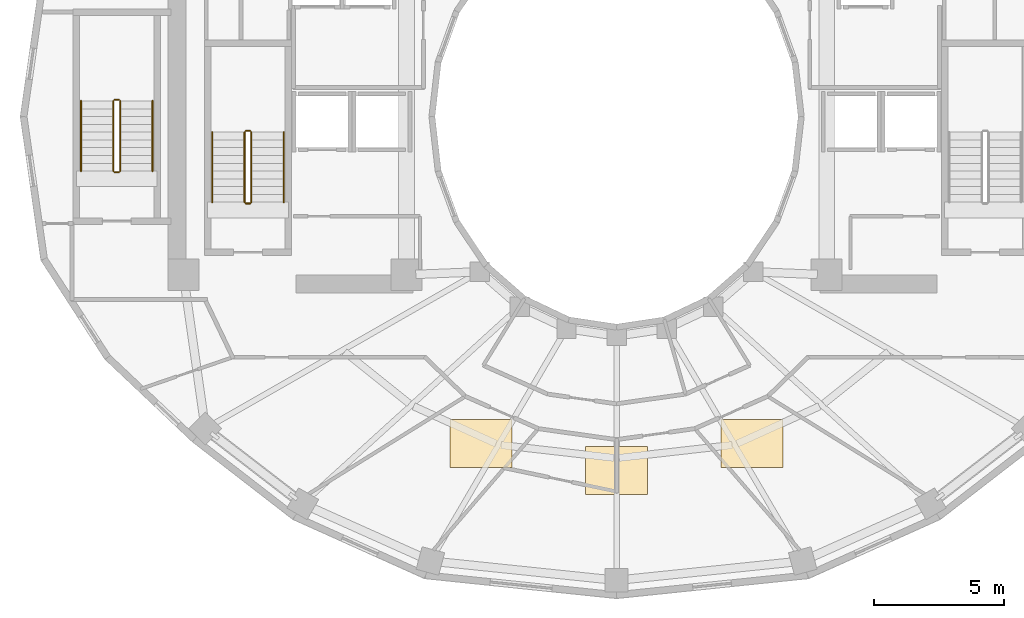
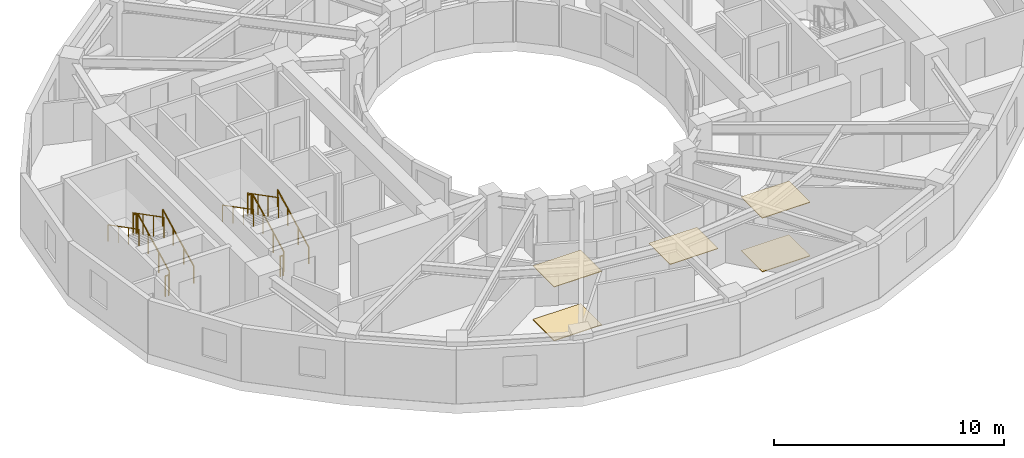
# One storey, part 8 of 9: 12 railings, 5 coverings.
"""IFC4 building model written with IfcOpenShell, lengths in metres."""

from ifc_helpers import new_model, si_unit, direction, frame, origin, origin_2d, place, context, subcontext, project, spatial, polyline, circle, outline, extrude, material, layer, layer_set, type_object, element, save


model = new_model("IFC4")

# Units and contexts
model_context = context("Model", 3, precision=1e-05, world=origin(), true_north=direction((0.0, 1.0)))
body_context = subcontext(model_context, "Body", "Model", "MODEL_VIEW")
ifc_project = project(units=[si_unit("LENGTHUNIT", "METRE"), si_unit("AREAUNIT", "SQUARE_METRE"), si_unit("VOLUMEUNIT", "CUBIC_METRE"), si_unit("PLANEANGLEUNIT", "RADIAN"), si_unit("MASSUNIT", "GRAM", prefix="KILO")], contexts=[model_context])

# Site, building, storey
site_placement = place(None, origin())
site = spatial("IfcSite", under=ifc_project, at=site_placement, CompositionType="ELEMENT")
building_placement = place(site_placement, origin())
building = spatial("IfcBuilding", under=site, at=building_placement, Name="Solvane Sanctuary Tower", CompositionType="ELEMENT")
storey_placement = place(building_placement, frame((0.0, 0.0, 143.60009765625)))
storey = spatial("IfcBuildingStorey", under=building, at=storey_placement, Name="L43", CompositionType="ELEMENT", Elevation=143.60009765625)

# Coverings
ifc_material_1 = material(Name="Acoustic Gypsum Partition Board")
ifc_layer_1 = layer(ifc_material_1, 0.02490234375, Name="Acoustic Gypsum Partition Board")
ifc_layer_set_1 = layer_set([ifc_layer_1], Name="Acoustic Gypsum Partition Board")
covering_type_1 = type_object("IfcCoveringType", Name="Covering CLG-ACOUST", PredefinedType="CEILING", material=ifc_layer_set_1)
covering_1_placement = place(storey_placement, frame((0.0, 0.0, 2.849853515625)))
element("IfcCovering", 1, at=covering_1_placement, inside=storey, type_object=covering_type_1, Name="L43 Unit Acoustic Ceiling Panel 5", PredefinedType="CEILING", context=body_context, shape_type="SweptSolid", body=[
    extrude(outline(polyline([(25.575927734375, 9.464111328125), (27.97607421875, 9.464111328125), (27.97607421875, 11.31396484375), (25.575927734375, 11.31396484375), (25.575927734375, 9.464111328125)])), origin(), (0.0, 0.0, 1.0), 0.030029296875),
])
covering_2_placement = place(storey_placement, frame((0.0, 0.0, 2.849853515625)))
element("IfcCovering", 2, at=covering_2_placement, inside=storey, type_object=covering_type_1, Name="L43 Unit Acoustic Ceiling Panel 6", PredefinedType="CEILING", context=body_context, shape_type="SweptSolid", body=[
    extrude(outline(polyline([(30.800048828125, 8.425048828125), (33.199951171875, 8.425048828125), (33.199951171875, 10.27490234375), (30.800048828125, 10.27490234375), (30.800048828125, 8.425048828125)])), origin(), (0.0, 0.0, 1.0), 0.030029296875),
])
covering_3_placement = place(storey_placement, frame((0.0, 0.0, 2.849853515625)))
element("IfcCovering", 3, at=covering_3_placement, inside=storey, type_object=covering_type_1, Name="L43 Unit Acoustic Ceiling Panel 7", PredefinedType="CEILING", context=body_context, shape_type="SweptSolid", body=[
    extrude(outline(polyline([(36.02392578125, 9.464111328125), (38.424072265625, 9.464111328125), (38.424072265625, 11.31396484375), (36.02392578125, 11.31396484375), (36.02392578125, 9.464111328125)])), origin(), (0.0, 0.0, 1.0), 0.030029296875),
])
ifc_material_2 = material(Name="Ceramic Tile Finish")
ifc_layer_2 = layer(ifc_material_2, 0.030029296875, Name="Ceramic Tile Finish")
ifc_layer_set_2 = layer_set([ifc_layer_2], Name="Ceramic Tile Finish")
covering_type_2 = type_object("IfcCoveringType", Name="Covering FLR-TERRAZZO", PredefinedType="FLOORING", material=ifc_layer_set_2)
covering_4_placement = place(storey_placement, origin())
element("IfcCovering", 4, at=covering_4_placement, inside=storey, type_object=covering_type_2, Name="L43 Unit Terrazzo Inlay 5", PredefinedType="FLOORING", context=body_context, shape_type="SweptSolid", body=[
    extrude(outline(polyline([(25.575927734375, 9.464111328125), (27.97607421875, 9.464111328125), (27.97607421875, 11.31396484375), (25.575927734375, 11.31396484375), (25.575927734375, 9.464111328125)])), origin(), (0.0, 0.0, 1.0), 0.034912109375),
])
covering_5_placement = place(storey_placement, origin())
element("IfcCovering", 5, at=covering_5_placement, inside=storey, type_object=covering_type_2, Name="L43 Unit Terrazzo Inlay 7", PredefinedType="FLOORING", context=body_context, shape_type="SweptSolid", body=[
    extrude(outline(polyline([(36.02392578125, 9.464111328125), (38.424072265625, 9.464111328125), (38.424072265625, 11.31396484375), (36.02392578125, 11.31396484375), (36.02392578125, 9.464111328125)])), origin(), (0.0, 0.0, 1.0), 0.034912109375),
])

# Railings
ifc_material_3 = material(Name="Architectural Stainless Steel 316", Category="steel")
railing_type_1 = type_object("IfcRailingType", Name="Railing GR-BALC-1150", PredefinedType="BALUSTRADE", material=ifc_material_3)
railing_1_placement = place(storey_placement, frame((17.919921875, 19.699951171875, 0.15478515625)))
element("IfcRailing", 6, at=railing_1_placement, inside=storey, type_object=railing_type_1, Name="L43 ST-1 stair guard 1", PredefinedType="BALUSTRADE", context=body_context, shape_type="SweptSolid", body=[
    extrude(circle(Radius=0.02392578125, at=origin_2d()), frame((0.0, 0.0, 1.076171875), z_axis=(0.0, 0.888419900624, 0.459031676658), x_axis=(-1.0, 0.0, 0.0)), (0.0, 0.0, 1.0), 3.0390625),
    extrude(circle(Radius=0.02099609375, at=origin_2d()), origin(), (0.0, 0.0, 1.0), 1.052001953125),
    extrude(circle(Radius=0.02099609375, at=origin_2d()), frame((0.0, 0.89990234375, 0.465087890625)), (0.0, 0.0, 1.0), 1.052001953125),
    extrude(circle(Radius=0.02099609375, at=origin_2d()), frame((0.0, 1.800048828125, 0.929931640625)), (0.0, 0.0, 1.0), 1.052001953125),
    extrude(circle(Radius=0.02099609375, at=origin_2d()), frame((0.0, 2.699951171875, 1.39501953125)), (0.0, 0.0, 1.0), 1.052001953125),
])
railing_2_placement = place(storey_placement, frame((17.8701171875, 22.449951171875, 1.5498046875)))
element("IfcRailing", 7, at=railing_2_placement, inside=storey, type_object=railing_type_1, Name="L43 ST-1 stair guard 2", PredefinedType="BALUSTRADE", context=body_context, shape_type="SweptSolid", body=[
    extrude(circle(Radius=0.02392578125, at=origin_2d()), frame((0.0, 0.0, 1.076171875), z_axis=(-1.0, 0.0, 0.0), x_axis=(0.0, -1.0, 0.0)), (0.0, 0.0, 1.0), 0.16015625),
    extrude(circle(Radius=0.02099609375, at=origin_2d()), origin(), (0.0, 0.0, 1.0), 1.052001953125),
    extrude(circle(Radius=0.02099609375, at=origin_2d()), frame((-0.16015625, 0.0, 0.0)), (0.0, 0.0, 1.0), 1.052001953125),
])
railing_3_placement = place(storey_placement, frame((17.659912109375, 22.39990234375, 1.704833984375)))
element("IfcRailing", 8, at=railing_3_placement, inside=storey, type_object=railing_type_1, Name="L43 ST-1 stair guard 3", PredefinedType="BALUSTRADE", context=body_context, shape_type="SweptSolid", body=[
    extrude(circle(Radius=0.02392578125, at=origin_2d()), frame((0.0, 0.0, 1.076171875), z_axis=(0.0, -0.888419900624, 0.459031676658), x_axis=(1.0, 0.0, 0.0)), (0.0, 0.0, 1.0), 3.0390625),
    extrude(circle(Radius=0.02099609375, at=origin_2d()), origin(), (0.0, 0.0, 1.0), 1.052001953125),
    extrude(circle(Radius=0.02099609375, at=origin_2d()), frame((0.0, -0.89990234375, 0.465087890625)), (0.0, 0.0, 1.0), 1.052001953125),
    extrude(circle(Radius=0.02099609375, at=origin_2d()), frame((0.0, -1.800048828125, 0.929931640625)), (0.0, 0.0, 1.0), 1.052001953125),
    extrude(circle(Radius=0.02099609375, at=origin_2d()), frame((0.0, -2.699951171875, 1.39501953125)), (0.0, 0.0, 1.0), 1.052001953125),
])
railing_4_placement = place(storey_placement, frame((17.8701171875, 19.64990234375, 0.0)))
element("IfcRailing", 9, at=railing_4_placement, inside=storey, type_object=railing_type_1, Name="L43 ST-1 stair guard 4", PredefinedType="BALUSTRADE", context=body_context, shape_type="SweptSolid", body=[
    extrude(circle(Radius=0.02392578125, at=origin_2d()), frame((0.0, 0.0, 1.076171875), z_axis=(-1.0, 0.0, 0.0), x_axis=(0.0, -1.0, 0.0)), (0.0, 0.0, 1.0), 0.16015625),
    extrude(circle(Radius=0.02099609375, at=origin_2d()), origin(), (0.0, 0.0, 1.0), 1.052001953125),
    extrude(circle(Radius=0.02099609375, at=origin_2d()), frame((-0.16015625, 0.0, 0.0)), (0.0, 0.0, 1.0), 1.052001953125),
])
railing_5_placement = place(storey_placement, frame((12.860107421875, 20.89990234375, 0.15478515625)))
element("IfcRailing", 10, at=railing_5_placement, inside=storey, type_object=railing_type_1, Name="L43 ST-3 stair guard 1", PredefinedType="BALUSTRADE", context=body_context, shape_type="SweptSolid", body=[
    extrude(circle(Radius=0.02392578125, at=origin_2d()), frame((0.0, 0.0, 1.076171875), z_axis=(0.0, 0.888436826113, 0.458998917216), x_axis=(-1.0, 0.0, 0.0)), (0.0, 0.0, 1.0), 3.039306640625),
    extrude(circle(Radius=0.02099609375, at=origin_2d()), origin(), (0.0, 0.0, 1.0), 1.052001953125),
    extrude(circle(Radius=0.02099609375, at=origin_2d()), frame((0.0, 0.900146484375, 0.465087890625)), (0.0, 0.0, 1.0), 1.052001953125),
    extrude(circle(Radius=0.02099609375, at=origin_2d()), frame((0.0, 1.800048828125, 0.929931640625)), (0.0, 0.0, 1.0), 1.052001953125),
    extrude(circle(Radius=0.02099609375, at=origin_2d()), frame((0.0, 2.7001953125, 1.39501953125)), (0.0, 0.0, 1.0), 1.052001953125),
])
railing_6_placement = place(storey_placement, frame((12.81005859375, 23.64990234375, 1.5498046875)))
element("IfcRailing", 11, at=railing_6_placement, inside=storey, type_object=railing_type_1, Name="L43 ST-3 stair guard 2", PredefinedType="BALUSTRADE", context=body_context, shape_type="SweptSolid", body=[
    extrude(circle(Radius=0.02392578125, at=origin_2d()), frame((0.0, 0.0, 1.076171875), z_axis=(-1.0, 0.0, 0.0), x_axis=(0.0, -1.0, 0.0)), (0.0, 0.0, 1.0), 0.16015625),
    extrude(circle(Radius=0.02099609375, at=origin_2d()), origin(), (0.0, 0.0, 1.0), 1.052001953125),
    extrude(circle(Radius=0.02099609375, at=origin_2d()), frame((-0.16015625, 0.0, 0.0)), (0.0, 0.0, 1.0), 1.052001953125),
])
railing_7_placement = place(storey_placement, frame((12.60009765625, 23.60009765625, 1.704833984375)))
element("IfcRailing", 12, at=railing_7_placement, inside=storey, type_object=railing_type_1, Name="L43 ST-3 stair guard 3", PredefinedType="BALUSTRADE", context=body_context, shape_type="SweptSolid", body=[
    extrude(circle(Radius=0.02392578125, at=origin_2d()), frame((0.0, 0.0, 1.076171875), z_axis=(0.0, -0.888436826113, 0.458998917216), x_axis=(1.0, 0.0, 0.0)), (0.0, 0.0, 1.0), 3.039306640625),
    extrude(circle(Radius=0.02099609375, at=origin_2d()), origin(), (0.0, 0.0, 1.0), 1.052001953125),
    extrude(circle(Radius=0.02099609375, at=origin_2d()), frame((0.0, -0.900146484375, 0.465087890625)), (0.0, 0.0, 1.0), 1.052001953125),
    extrude(circle(Radius=0.02099609375, at=origin_2d()), frame((0.0, -1.800048828125, 0.929931640625)), (0.0, 0.0, 1.0), 1.052001953125),
    extrude(circle(Radius=0.02099609375, at=origin_2d()), frame((0.0, -2.7001953125, 1.39501953125)), (0.0, 0.0, 1.0), 1.052001953125),
])
railing_8_placement = place(storey_placement, frame((12.81005859375, 20.85009765625, 0.0)))
element("IfcRailing", 13, at=railing_8_placement, inside=storey, type_object=railing_type_1, Name="L43 ST-3 stair guard 4", PredefinedType="BALUSTRADE", context=body_context, shape_type="SweptSolid", body=[
    extrude(circle(Radius=0.02392578125, at=origin_2d()), frame((0.0, 0.0, 1.076171875), z_axis=(-1.0, 0.0, 0.0), x_axis=(0.0, -1.0, 0.0)), (0.0, 0.0, 1.0), 0.16015625),
    extrude(circle(Radius=0.02099609375, at=origin_2d()), origin(), (0.0, 0.0, 1.0), 1.052001953125),
    extrude(circle(Radius=0.02099609375, at=origin_2d()), frame((-0.16015625, 0.0, 0.0)), (0.0, 0.0, 1.0), 1.052001953125),
])
railing_type_2 = type_object("IfcRailingType", Name="Railing HR-STAIR-920", PredefinedType="HANDRAIL", material=ifc_material_3)
railing_9_placement = place(storey_placement, frame((19.169921875, 19.699951171875, 0.15478515625)))
element("IfcRailing", 14, at=railing_9_placement, inside=storey, type_object=railing_type_2, Name="L43 ST-1 stair handrail 1", PredefinedType="HANDRAIL", context=body_context, shape_type="SweptSolid", body=[
    extrude(circle(Radius=0.02392578125, at=origin_2d()), frame((0.0, 0.0, 0.8759765625), z_axis=(0.0, 0.888419900624, 0.459031676658), x_axis=(-1.0, 0.0, 0.0)), (0.0, 0.0, 1.0), 3.0390625),
    extrude(circle(Radius=0.02099609375, at=origin_2d()), origin(), (0.0, 0.0, 1.0), 0.851806640625),
    extrude(circle(Radius=0.02099609375, at=origin_2d()), frame((0.0, 0.89990234375, 0.465087890625)), (0.0, 0.0, 1.0), 0.851806640625),
    extrude(circle(Radius=0.02099609375, at=origin_2d()), frame((0.0, 1.800048828125, 0.929931640625)), (0.0, 0.0, 1.0), 0.851806640625),
    extrude(circle(Radius=0.02099609375, at=origin_2d()), frame((0.0, 2.699951171875, 1.39501953125)), (0.0, 0.0, 1.0), 0.851806640625),
])
railing_10_placement = place(storey_placement, frame((16.409912109375, 22.39990234375, 1.704833984375)))
element("IfcRailing", 15, at=railing_10_placement, inside=storey, type_object=railing_type_2, Name="L43 ST-1 stair handrail 2", PredefinedType="HANDRAIL", context=body_context, shape_type="SweptSolid", body=[
    extrude(circle(Radius=0.02392578125, at=origin_2d()), frame((0.0, 0.0, 0.8759765625), z_axis=(0.0, -0.888419900624, 0.459031676658), x_axis=(1.0, 0.0, 0.0)), (0.0, 0.0, 1.0), 3.0390625),
    extrude(circle(Radius=0.02099609375, at=origin_2d()), origin(), (0.0, 0.0, 1.0), 0.851806640625),
    extrude(circle(Radius=0.02099609375, at=origin_2d()), frame((0.0, -0.89990234375, 0.465087890625)), (0.0, 0.0, 1.0), 0.851806640625),
    extrude(circle(Radius=0.02099609375, at=origin_2d()), frame((0.0, -1.800048828125, 0.929931640625)), (0.0, 0.0, 1.0), 0.851806640625),
    extrude(circle(Radius=0.02099609375, at=origin_2d()), frame((0.0, -2.699951171875, 1.39501953125)), (0.0, 0.0, 1.0), 0.851806640625),
])
railing_11_placement = place(storey_placement, frame((14.110107421875, 20.89990234375, 0.15478515625)))
element("IfcRailing", 16, at=railing_11_placement, inside=storey, type_object=railing_type_2, Name="L43 ST-3 stair handrail 1", PredefinedType="HANDRAIL", context=body_context, shape_type="SweptSolid", body=[
    extrude(circle(Radius=0.02392578125, at=origin_2d()), frame((0.0, 0.0, 0.8759765625), z_axis=(0.0, 0.888436826113, 0.458998917216), x_axis=(-1.0, 0.0, 0.0)), (0.0, 0.0, 1.0), 3.039306640625),
    extrude(circle(Radius=0.02099609375, at=origin_2d()), origin(), (0.0, 0.0, 1.0), 0.851806640625),
    extrude(circle(Radius=0.02099609375, at=origin_2d()), frame((0.0, 0.900146484375, 0.465087890625)), (0.0, 0.0, 1.0), 0.851806640625),
    extrude(circle(Radius=0.02099609375, at=origin_2d()), frame((0.0, 1.800048828125, 0.929931640625)), (0.0, 0.0, 1.0), 0.851806640625),
    extrude(circle(Radius=0.02099609375, at=origin_2d()), frame((0.0, 2.7001953125, 1.39501953125)), (0.0, 0.0, 1.0), 0.851806640625),
])
railing_12_placement = place(storey_placement, frame((11.35009765625, 23.60009765625, 1.704833984375)))
element("IfcRailing", 17, at=railing_12_placement, inside=storey, type_object=railing_type_2, Name="L43 ST-3 stair handrail 2", PredefinedType="HANDRAIL", context=body_context, shape_type="SweptSolid", body=[
    extrude(circle(Radius=0.02392578125, at=origin_2d()), frame((0.0, 0.0, 0.8759765625), z_axis=(0.0, -0.888436826113, 0.458998917216), x_axis=(1.0, 0.0, 0.0)), (0.0, 0.0, 1.0), 3.039306640625),
    extrude(circle(Radius=0.02099609375, at=origin_2d()), origin(), (0.0, 0.0, 1.0), 0.851806640625),
    extrude(circle(Radius=0.02099609375, at=origin_2d()), frame((0.0, -0.900146484375, 0.465087890625)), (0.0, 0.0, 1.0), 0.851806640625),
    extrude(circle(Radius=0.02099609375, at=origin_2d()), frame((0.0, -1.800048828125, 0.929931640625)), (0.0, 0.0, 1.0), 0.851806640625),
    extrude(circle(Radius=0.02099609375, at=origin_2d()), frame((0.0, -2.7001953125, 1.39501953125)), (0.0, 0.0, 1.0), 0.851806640625),
])

save(model, "model.ifc")
